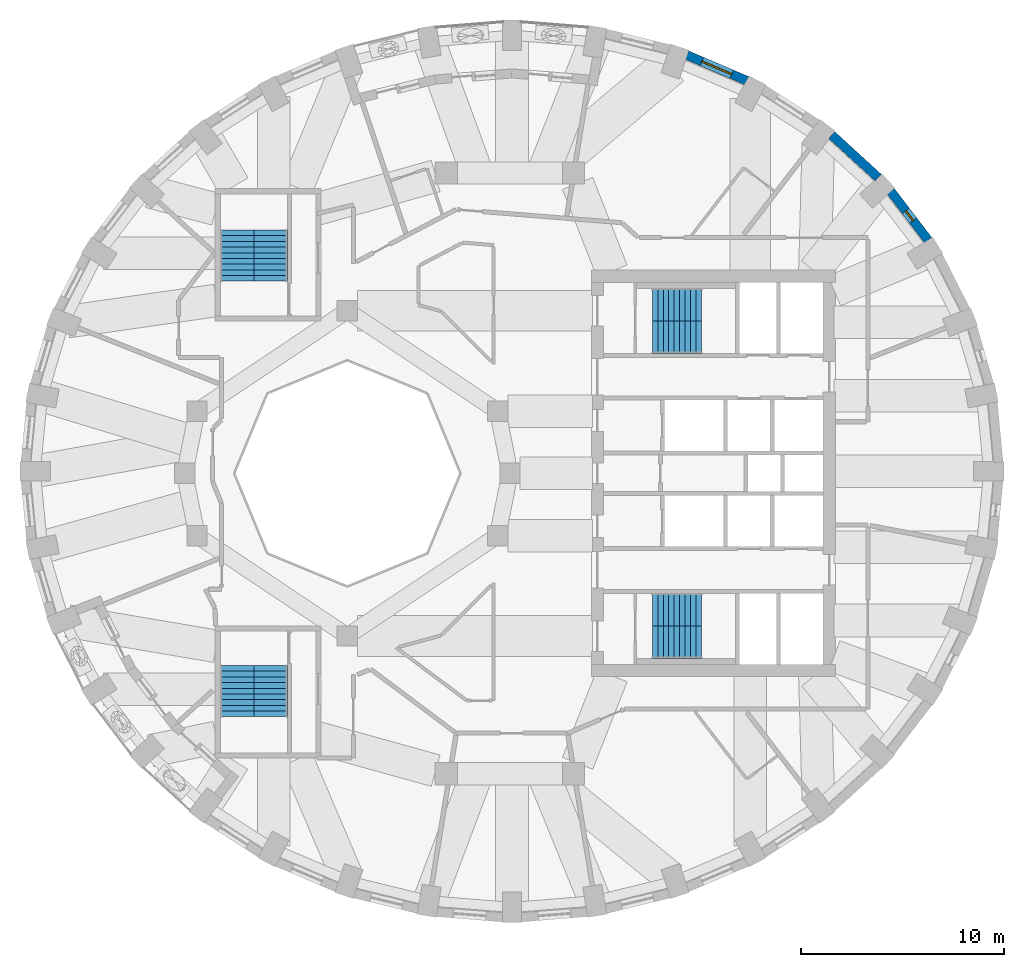
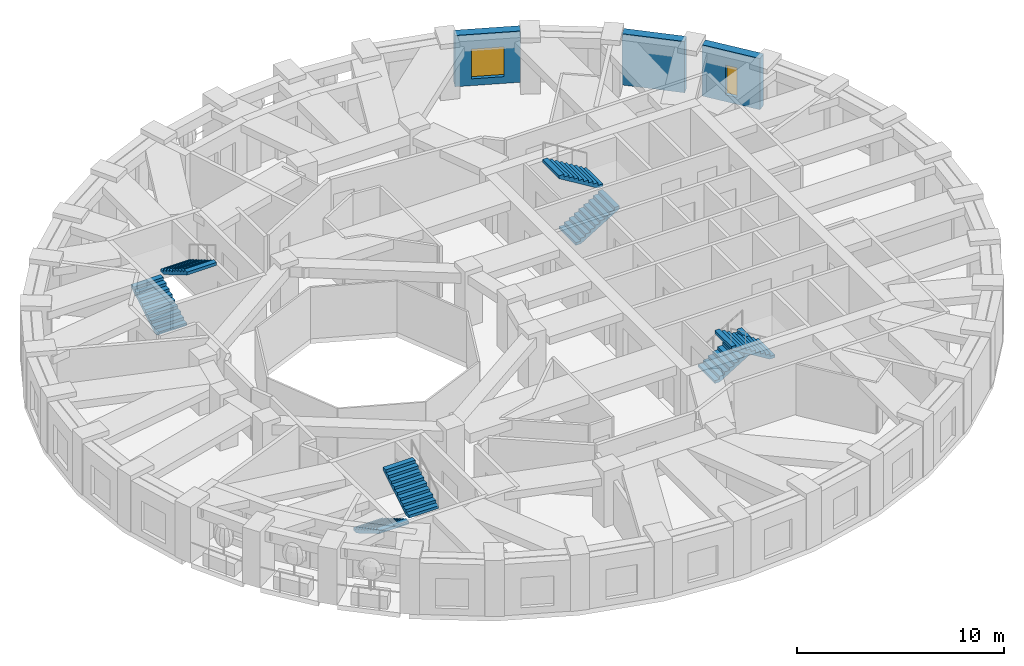
# One storey, part 8 of 11: 8 stair flights, 3 walls, 2 windows, 2 openings, 4 elements without a shape of their own.
"""IFC4 building model written with IfcOpenShell, lengths in metres."""

from ifc_helpers import new_model, si_unit, direction, frame, frame_2d, origin, place, context, subcontext, project, spatial, polyline, rectangle, outline, extrude, material, layer, layer_set, type_object, element, fill, aggregate, save


model = new_model("IFC4")

# Units and contexts
model_context = context("Model", 3, precision=1e-05, world=origin(), true_north=direction((0.0, 1.0)))
body_context = subcontext(model_context, "Body", "Model", "MODEL_VIEW")
ifc_project = project(units=[si_unit("LENGTHUNIT", "METRE"), si_unit("AREAUNIT", "SQUARE_METRE"), si_unit("VOLUMEUNIT", "CUBIC_METRE"), si_unit("PLANEANGLEUNIT", "RADIAN"), si_unit("MASSUNIT", "GRAM", prefix="KILO")], contexts=[model_context])

# Site, building, storey
site_placement = place(None, origin())
site = spatial("IfcSite", under=ifc_project, at=site_placement, CompositionType="ELEMENT")
building_placement = place(site_placement, origin())
building = spatial("IfcBuilding", under=site, at=building_placement, Name="Taillehof Tower", CompositionType="ELEMENT")
storey_placement = place(building_placement, frame((0.0, 0.0, 178.10009765625)))
storey = spatial("IfcBuildingStorey", under=building, at=storey_placement, Name="L50", CompositionType="ELEMENT", Elevation=178.10009765625)

# Wall, opening, window
ifc_material_1 = material(Name="Brick masonry", Category="masonry")
ifc_layer = layer(ifc_material_1, 0.449951171875)
ifc_layer_set = layer_set([ifc_layer], Name="Brick infill wall 450")
wall_type = type_object("IfcWallType", Name="Brick infill wall 450", PredefinedType="SOLIDWALL", material=ifc_layer_set)
wall_1_placement = place(storey_placement, frame((20.573974609375, 11.467041015625, 0.0), z_axis=(0.0, 0.0, 1.0), x_axis=(-0.607817056371, 0.794077090706, 0.0)))
wall_1 = element("IfcWall", 1, at=wall_1_placement, inside=storey, type_object=wall_type, Name="Brick wall L50 bay 4", PredefinedType="SOLIDWALL", context=body_context, shape_type="SweptSolid", body=[
    extrude(rectangle(XDim=3.037109375, YDim=0.449951171875, at=frame_2d((1.5185546875, 0.0))), origin(), (0.0, 0.0, 1.0), 3.02001953125),
])
opening_1_placement = place(wall_1_placement, frame((1.218505859375, 0.0, 0.39990234375)))
opening_1 = element("IfcOpeningElement", 2, at=opening_1_placement, cuts=wall_1, Name="Opening W6", PredefinedType="OPENING", context=body_context, shape_type="SweptSolid", body=[
    extrude(rectangle(XDim=0.60009765625, YDim=1.75, at=frame_2d((0.300048828125, 0.875))), frame((0.0, 0.23486328125, 0.0), z_axis=(0.0, -1.0, 0.0), x_axis=(1.0, 0.0, 0.0)), (0.0, 0.0, 1.0), 0.469970703125),
])
ifc_material_2 = material(Name="Aluminium window frame with clear double glazing", Category="aluminium")
window_type_1 = type_object("IfcWindowType", Name="Slot window 600x1750", PartitioningType="SINGLE_PANEL", PredefinedType="WINDOW", material=ifc_material_2)
window_1_placement = place(opening_1_placement, origin())
window_1 = element("IfcWindow", 3, at=window_1_placement, inside=storey, type_object=window_type_1, Name="W6", OverallHeight=1.75, OverallWidth=0.60009765625, PartitioningType="SINGLE_PANEL", PredefinedType="WINDOW", context=body_context, shape_type="SweptSolid", body=[
    extrude(rectangle(XDim=0.60009765625, YDim=1.75, at=frame_2d((0.300048828125, 0.875))), frame((0.0, 0.034912109375, 0.0), z_axis=(0.0, -1.0, 0.0), x_axis=(1.0, 0.0, 0.0)), (0.0, 0.0, 1.0), 0.06005859375),
])
fill(opening_1, window_1)

# Wall
wall_2_placement = place(storey_placement, frame((18.11328125, 14.5498046875, 0.0), z_axis=(0.0, 0.0, 1.0), x_axis=(-0.737808755941, 0.675009807082, 0.0)))
element("IfcWall", 4, at=wall_2_placement, inside=storey, type_object=wall_type, Name="Brick wall L50 bay 5", PredefinedType="SOLIDWALL", context=body_context, shape_type="SweptSolid", body=[
    extrude(rectangle(XDim=3.094482421875, YDim=0.449951171875, at=frame_2d((1.54736328125, 0.0))), origin(), (0.0, 0.0, 1.0), 3.02001953125),
])

# Wall, opening, window
wall_3_placement = place(storey_placement, frame((11.650390625, 19.318603515625, 0.0), z_axis=(0.0, 0.0, 1.0), x_axis=(-0.91981046949, 0.392362969986, 0.0)))
wall_3 = element("IfcWall", 5, at=wall_3_placement, inside=storey, type_object=wall_type, Name="Brick wall L50 bay 7", PredefinedType="SOLIDWALL", context=body_context, shape_type="SweptSolid", body=[
    extrude(rectangle(XDim=3.20068359375, YDim=0.449951171875, at=frame_2d((1.600341796875, 0.0))), origin(), (0.0, 0.0, 1.0), 3.02001953125),
])
opening_2_placement = place(wall_3_placement, frame((0.80029296875, 0.0, 0.39990234375)))
opening_2 = element("IfcOpeningElement", 6, at=opening_2_placement, cuts=wall_3, Name="Opening W3", PredefinedType="OPENING", context=body_context, shape_type="SweptSolid", body=[
    extrude(rectangle(XDim=1.60009765625, YDim=1.75, at=frame_2d((0.800048828125, 0.875))), frame((0.0, 0.23486328125, 0.0), z_axis=(0.0, -1.0, 0.0), x_axis=(1.0, 0.0, 0.0)), (0.0, 0.0, 1.0), 0.469970703125),
])
ifc_material_3 = material(Name="Aluminium window frame with clear double glazing", Category="aluminium")
window_type_2 = type_object("IfcWindowType", Name="Deep-set window 1600x1750", PartitioningType="SINGLE_PANEL", PredefinedType="WINDOW", material=ifc_material_3)
window_2_placement = place(opening_2_placement, origin())
window_2 = element("IfcWindow", 7, at=window_2_placement, inside=storey, type_object=window_type_2, Name="W3", OverallHeight=1.75, OverallWidth=1.60009765625, PartitioningType="SINGLE_PANEL", PredefinedType="WINDOW", context=body_context, shape_type="SweptSolid", body=[
    extrude(rectangle(XDim=1.60009765625, YDim=1.75, at=frame_2d((0.800048828125, 0.875))), frame((0.0, 0.034912109375, 0.0), z_axis=(0.0, -1.0, 0.0), x_axis=(1.0, 0.0, 0.0)), (0.0, 0.0, 1.0), 0.06005859375),
])
fill(opening_2, window_2)

# Stair, stair flights
ifc_material_4 = material(Name="Concrete C40/50", Category="concrete")
stair_type = type_object("IfcStairType", Name="Exit stair half-turn", PredefinedType="HALF_TURN_STAIR", material=ifc_material_4)
stair_1_placement = place(storey_placement, origin())
stair_1 = element("IfcStair", 8, at=stair_1_placement, inside=storey, type_object=stair_type, Name="Exit stair S1", PredefinedType="HALF_TURN_STAIR")
ifc_material_5 = material(Name="Concrete C40/50", Category="concrete")
stair_flight_type_1 = type_object("IfcStairFlightType", Name="Stair flight 1600 riser 165.0 going 270", PredefinedType="STRAIGHT", material=ifc_material_5)
stair_flight_1_placement = place(storey_placement, frame((7.0, 6.699951171875, 0.0), z_axis=(0.0, 0.0, 1.0), x_axis=(1.0, 0.0, 0.0)))
stair_flight_1 = element("IfcStairFlight", 9, at=stair_flight_1_placement, type_object=stair_flight_type_1, Name="S1 flight 1", NumberOfRisers=10, NumberOfTreads=9, PredefinedType="STRAIGHT", RiserHeight=0.165, TreadLength=0.27, context=body_context, shape_type="SweptSolid", body=[
    extrude(outline(polyline([(0.0, 0.0), (0.0, 0.00537109375), (0.0, 0.0107421875), (0.0, 0.015869140625), (0.0, 0.021240234375), (0.0, 0.026611328125), (0.0, 0.031982421875), (0.0, 0.037353515625), (0.0, 0.04248046875), (0.0, 0.0478515625), (0.0, 0.05322265625), (0.0, 0.05859375), (0.0, 0.06396484375), (0.0, 0.069091796875), (0.0, 0.074462890625), (0.0, 0.079833984375), (0.0, 0.085205078125), (0.0, 0.090576171875), (0.0, 0.095703125), (0.0, 0.10107421875), (0.0, 0.1064453125), (0.0, 0.11181640625), (0.0, 0.1171875), (0.0, 0.122314453125), (0.0, 0.127685546875), (0.0, 0.133056640625), (0.0, 0.138427734375), (0.0, 0.143798828125), (0.0, 0.14892578125), (0.0, 0.154296875), (0.0, 0.15966796875), (0.0, 0.1650390625), (0.27001953125, 0.1650390625), (0.27001953125, 0.330078125), (0.5400390625, 0.330078125), (0.5400390625, 0.4951171875), (0.81005859375, 0.4951171875), (0.81005859375, 0.659912109375), (1.080078125, 0.659912109375), (1.080078125, 0.824951171875), (1.35009765625, 0.824951171875), (1.35009765625, 0.989990234375), (1.6201171875, 0.989990234375), (1.6201171875, 1.155029296875), (1.889892578125, 1.155029296875), (1.889892578125, 1.320068359375), (2.159912109375, 1.320068359375), (2.159912109375, 1.485107421875), (2.429931640625, 1.485107421875), (2.429931640625, 1.479248046875), (2.429931640625, 1.4736328125), (2.429931640625, 1.468017578125), (2.429931640625, 1.46240234375), (2.429931640625, 1.45654296875), (2.429931640625, 1.450927734375), (2.429931640625, 1.4453125), (2.429931640625, 1.439697265625), (2.429931640625, 1.43408203125), (2.429931640625, 1.42822265625), (2.429931640625, 1.422607421875), (2.429931640625, 1.4169921875), (2.429931640625, 1.411376953125), (2.429931640625, 1.40576171875), (2.429931640625, 1.39990234375), (2.429931640625, 1.394287109375), (2.429931640625, 1.388671875), (2.429931640625, 1.383056640625), (2.429931640625, 1.37744140625), (2.429931640625, 1.37158203125), (2.429931640625, 1.365966796875), (2.429931640625, 1.3603515625), (2.429931640625, 1.354736328125), (2.429931640625, 1.348876953125), (2.429931640625, 1.34326171875), (2.429931640625, 1.337646484375), (2.429931640625, 1.33203125), (2.429931640625, 1.326416015625), (2.429931640625, 1.320556640625), (2.429931640625, 1.31494140625), (2.429931640625, 1.309326171875), (0.287353515625, 0.0), (0.0, 0.0)])), frame((0.0, 0.800048828125, 0.0), z_axis=(0.0, -1.0, 0.0), x_axis=(1.0, 0.0, 0.0)), (0.0, 0.0, 1.0), 1.6),
])
stair_flight_2_placement = place(storey_placement, frame((9.429931640625, 8.300048828125, 1.64990234375), z_axis=(0.0, 0.0, 1.0), x_axis=(-1.0, 0.0, 0.0)))
stair_flight_2 = element("IfcStairFlight", 10, at=stair_flight_2_placement, type_object=stair_flight_type_1, Name="S1 flight 2", NumberOfRisers=10, NumberOfTreads=9, PredefinedType="STRAIGHT", RiserHeight=0.165, TreadLength=0.27, context=body_context, shape_type="SweptSolid", body=[
    extrude(outline(polyline([(0.0, 0.0), (0.0, 0.00537109375), (0.0, 0.0107421875), (0.0, 0.015869140625), (0.0, 0.021240234375), (0.0, 0.026611328125), (0.0, 0.031982421875), (0.0, 0.037353515625), (0.0, 0.04248046875), (0.0, 0.0478515625), (0.0, 0.05322265625), (0.0, 0.05859375), (0.0, 0.06396484375), (0.0, 0.069091796875), (0.0, 0.074462890625), (0.0, 0.079833984375), (0.0, 0.085205078125), (0.0, 0.090576171875), (0.0, 0.095703125), (0.0, 0.10107421875), (0.0, 0.1064453125), (0.0, 0.11181640625), (0.0, 0.1171875), (0.0, 0.122314453125), (0.0, 0.127685546875), (0.0, 0.133056640625), (0.0, 0.138427734375), (0.0, 0.143798828125), (0.0, 0.14892578125), (0.0, 0.154296875), (0.0, 0.15966796875), (0.0, 0.1650390625), (0.27001953125, 0.1650390625), (0.27001953125, 0.330078125), (0.5400390625, 0.330078125), (0.5400390625, 0.4951171875), (0.81005859375, 0.4951171875), (0.81005859375, 0.659912109375), (1.080078125, 0.659912109375), (1.080078125, 0.824951171875), (1.35009765625, 0.824951171875), (1.35009765625, 0.989990234375), (1.6201171875, 0.989990234375), (1.6201171875, 1.155029296875), (1.889892578125, 1.155029296875), (1.889892578125, 1.320068359375), (2.159912109375, 1.320068359375), (2.159912109375, 1.485107421875), (2.429931640625, 1.485107421875), (2.429931640625, 1.479248046875), (2.429931640625, 1.4736328125), (2.429931640625, 1.468017578125), (2.429931640625, 1.46240234375), (2.429931640625, 1.45654296875), (2.429931640625, 1.450927734375), (2.429931640625, 1.4453125), (2.429931640625, 1.439697265625), (2.429931640625, 1.43408203125), (2.429931640625, 1.42822265625), (2.429931640625, 1.422607421875), (2.429931640625, 1.4169921875), (2.429931640625, 1.411376953125), (2.429931640625, 1.40576171875), (2.429931640625, 1.39990234375), (2.429931640625, 1.394287109375), (2.429931640625, 1.388671875), (2.429931640625, 1.383056640625), (2.429931640625, 1.37744140625), (2.429931640625, 1.37158203125), (2.429931640625, 1.365966796875), (2.429931640625, 1.3603515625), (2.429931640625, 1.354736328125), (2.429931640625, 1.348876953125), (2.429931640625, 1.34326171875), (2.429931640625, 1.337646484375), (2.429931640625, 1.33203125), (2.429931640625, 1.326416015625), (2.429931640625, 1.320556640625), (2.429931640625, 1.31494140625), (2.429931640625, 1.309326171875), (0.287353515625, 0.0), (0.0, 0.0)])), frame((0.0, 0.800048828125, 0.0), z_axis=(0.0, -1.0, 0.0), x_axis=(1.0, 0.0, 0.0)), (0.0, 0.0, 1.0), 1.6),
])
aggregate(stair_1, [stair_flight_1, stair_flight_2])

stair_2_placement = place(storey_placement, origin())
stair_2 = element("IfcStair", 11, at=stair_2_placement, inside=storey, type_object=stair_type, Name="Exit stair S2", PredefinedType="HALF_TURN_STAIR")
stair_flight_3_placement = place(storey_placement, frame((7.0, -6.699951171875, 0.0), z_axis=(0.0, 0.0, 1.0), x_axis=(1.0, 0.0, 0.0)))
stair_flight_3 = element("IfcStairFlight", 12, at=stair_flight_3_placement, type_object=stair_flight_type_1, Name="S2 flight 1", NumberOfRisers=10, NumberOfTreads=9, PredefinedType="STRAIGHT", RiserHeight=0.165, TreadLength=0.27, context=body_context, shape_type="SweptSolid", body=[
    extrude(outline(polyline([(0.0, 0.0), (0.0, 0.00537109375), (0.0, 0.0107421875), (0.0, 0.015869140625), (0.0, 0.021240234375), (0.0, 0.026611328125), (0.0, 0.031982421875), (0.0, 0.037353515625), (0.0, 0.04248046875), (0.0, 0.0478515625), (0.0, 0.05322265625), (0.0, 0.05859375), (0.0, 0.06396484375), (0.0, 0.069091796875), (0.0, 0.074462890625), (0.0, 0.079833984375), (0.0, 0.085205078125), (0.0, 0.090576171875), (0.0, 0.095703125), (0.0, 0.10107421875), (0.0, 0.1064453125), (0.0, 0.11181640625), (0.0, 0.1171875), (0.0, 0.122314453125), (0.0, 0.127685546875), (0.0, 0.133056640625), (0.0, 0.138427734375), (0.0, 0.143798828125), (0.0, 0.14892578125), (0.0, 0.154296875), (0.0, 0.15966796875), (0.0, 0.1650390625), (0.27001953125, 0.1650390625), (0.27001953125, 0.330078125), (0.5400390625, 0.330078125), (0.5400390625, 0.4951171875), (0.81005859375, 0.4951171875), (0.81005859375, 0.659912109375), (1.080078125, 0.659912109375), (1.080078125, 0.824951171875), (1.35009765625, 0.824951171875), (1.35009765625, 0.989990234375), (1.6201171875, 0.989990234375), (1.6201171875, 1.155029296875), (1.889892578125, 1.155029296875), (1.889892578125, 1.320068359375), (2.159912109375, 1.320068359375), (2.159912109375, 1.485107421875), (2.429931640625, 1.485107421875), (2.429931640625, 1.479248046875), (2.429931640625, 1.4736328125), (2.429931640625, 1.468017578125), (2.429931640625, 1.46240234375), (2.429931640625, 1.45654296875), (2.429931640625, 1.450927734375), (2.429931640625, 1.4453125), (2.429931640625, 1.439697265625), (2.429931640625, 1.43408203125), (2.429931640625, 1.42822265625), (2.429931640625, 1.422607421875), (2.429931640625, 1.4169921875), (2.429931640625, 1.411376953125), (2.429931640625, 1.40576171875), (2.429931640625, 1.39990234375), (2.429931640625, 1.394287109375), (2.429931640625, 1.388671875), (2.429931640625, 1.383056640625), (2.429931640625, 1.37744140625), (2.429931640625, 1.37158203125), (2.429931640625, 1.365966796875), (2.429931640625, 1.3603515625), (2.429931640625, 1.354736328125), (2.429931640625, 1.348876953125), (2.429931640625, 1.34326171875), (2.429931640625, 1.337646484375), (2.429931640625, 1.33203125), (2.429931640625, 1.326416015625), (2.429931640625, 1.320556640625), (2.429931640625, 1.31494140625), (2.429931640625, 1.309326171875), (0.287353515625, 0.0), (0.0, 0.0)])), frame((0.0, 0.800048828125, 0.0), z_axis=(0.0, -1.0, 0.0), x_axis=(1.0, 0.0, 0.0)), (0.0, 0.0, 1.0), 1.6),
])
stair_flight_4_placement = place(storey_placement, frame((9.429931640625, -8.300048828125, 1.64990234375), z_axis=(0.0, 0.0, 1.0), x_axis=(-1.0, 0.0, 0.0)))
stair_flight_4 = element("IfcStairFlight", 13, at=stair_flight_4_placement, type_object=stair_flight_type_1, Name="S2 flight 2", NumberOfRisers=10, NumberOfTreads=9, PredefinedType="STRAIGHT", RiserHeight=0.165, TreadLength=0.27, context=body_context, shape_type="SweptSolid", body=[
    extrude(outline(polyline([(0.0, 0.0), (0.0, 0.00537109375), (0.0, 0.0107421875), (0.0, 0.015869140625), (0.0, 0.021240234375), (0.0, 0.026611328125), (0.0, 0.031982421875), (0.0, 0.037353515625), (0.0, 0.04248046875), (0.0, 0.0478515625), (0.0, 0.05322265625), (0.0, 0.05859375), (0.0, 0.06396484375), (0.0, 0.069091796875), (0.0, 0.074462890625), (0.0, 0.079833984375), (0.0, 0.085205078125), (0.0, 0.090576171875), (0.0, 0.095703125), (0.0, 0.10107421875), (0.0, 0.1064453125), (0.0, 0.11181640625), (0.0, 0.1171875), (0.0, 0.122314453125), (0.0, 0.127685546875), (0.0, 0.133056640625), (0.0, 0.138427734375), (0.0, 0.143798828125), (0.0, 0.14892578125), (0.0, 0.154296875), (0.0, 0.15966796875), (0.0, 0.1650390625), (0.27001953125, 0.1650390625), (0.27001953125, 0.330078125), (0.5400390625, 0.330078125), (0.5400390625, 0.4951171875), (0.81005859375, 0.4951171875), (0.81005859375, 0.659912109375), (1.080078125, 0.659912109375), (1.080078125, 0.824951171875), (1.35009765625, 0.824951171875), (1.35009765625, 0.989990234375), (1.6201171875, 0.989990234375), (1.6201171875, 1.155029296875), (1.889892578125, 1.155029296875), (1.889892578125, 1.320068359375), (2.159912109375, 1.320068359375), (2.159912109375, 1.485107421875), (2.429931640625, 1.485107421875), (2.429931640625, 1.479248046875), (2.429931640625, 1.4736328125), (2.429931640625, 1.468017578125), (2.429931640625, 1.46240234375), (2.429931640625, 1.45654296875), (2.429931640625, 1.450927734375), (2.429931640625, 1.4453125), (2.429931640625, 1.439697265625), (2.429931640625, 1.43408203125), (2.429931640625, 1.42822265625), (2.429931640625, 1.422607421875), (2.429931640625, 1.4169921875), (2.429931640625, 1.411376953125), (2.429931640625, 1.40576171875), (2.429931640625, 1.39990234375), (2.429931640625, 1.394287109375), (2.429931640625, 1.388671875), (2.429931640625, 1.383056640625), (2.429931640625, 1.37744140625), (2.429931640625, 1.37158203125), (2.429931640625, 1.365966796875), (2.429931640625, 1.3603515625), (2.429931640625, 1.354736328125), (2.429931640625, 1.348876953125), (2.429931640625, 1.34326171875), (2.429931640625, 1.337646484375), (2.429931640625, 1.33203125), (2.429931640625, 1.326416015625), (2.429931640625, 1.320556640625), (2.429931640625, 1.31494140625), (2.429931640625, 1.309326171875), (0.287353515625, 0.0), (0.0, 0.0)])), frame((0.0, 0.800048828125, 0.0), z_axis=(0.0, -1.0, 0.0), x_axis=(1.0, 0.0, 0.0)), (0.0, 0.0, 1.0), 1.6),
])
aggregate(stair_2, [stair_flight_3, stair_flight_4])

stair_3_placement = place(storey_placement, origin())
stair_3 = element("IfcStair", 14, at=stair_3_placement, inside=storey, type_object=stair_type, Name="Exit stair S3", PredefinedType="HALF_TURN_STAIR")
ifc_material_6 = material(Name="Concrete C40/50", Category="concrete")
stair_flight_type_2 = type_object("IfcStairFlightType", Name="Stair flight 1650 riser 165.0 going 280", PredefinedType="STRAIGHT", material=ifc_material_6)
stair_flight_5_placement = place(storey_placement, frame((-13.425048828125, 9.449951171875, 0.0), z_axis=(0.0, 0.0, 1.0), x_axis=(0.0, 1.0, 0.0)))
stair_flight_5 = element("IfcStairFlight", 15, at=stair_flight_5_placement, type_object=stair_flight_type_2, Name="S3 flight 1", NumberOfRisers=10, NumberOfTreads=9, PredefinedType="STRAIGHT", RiserHeight=0.165, TreadLength=0.28, context=body_context, shape_type="SweptSolid", body=[
    extrude(outline(polyline([(0.0, 0.0), (0.0, 0.00537109375), (0.0, 0.0107421875), (0.0, 0.015869140625), (0.0, 0.021240234375), (0.0, 0.026611328125), (0.0, 0.031982421875), (0.0, 0.037353515625), (0.0, 0.04248046875), (0.0, 0.0478515625), (0.0, 0.05322265625), (0.0, 0.05859375), (0.0, 0.06396484375), (0.0, 0.069091796875), (0.0, 0.074462890625), (0.0, 0.079833984375), (0.0, 0.085205078125), (0.0, 0.090576171875), (0.0, 0.095703125), (0.0, 0.10107421875), (0.0, 0.1064453125), (0.0, 0.11181640625), (0.0, 0.1171875), (0.0, 0.122314453125), (0.0, 0.127685546875), (0.0, 0.133056640625), (0.0, 0.138427734375), (0.0, 0.143798828125), (0.0, 0.14892578125), (0.0, 0.154296875), (0.0, 0.15966796875), (0.0, 0.1650390625), (0.280029296875, 0.1650390625), (0.280029296875, 0.330078125), (0.56005859375, 0.330078125), (0.56005859375, 0.4951171875), (0.840087890625, 0.4951171875), (0.840087890625, 0.659912109375), (1.1201171875, 0.659912109375), (1.1201171875, 0.824951171875), (1.39990234375, 0.824951171875), (1.39990234375, 0.989990234375), (1.679931640625, 0.989990234375), (1.679931640625, 1.155029296875), (1.9599609375, 1.155029296875), (1.9599609375, 1.320068359375), (2.239990234375, 1.320068359375), (2.239990234375, 1.485107421875), (2.52001953125, 1.485107421875), (2.52001953125, 1.4794921875), (2.52001953125, 1.473876953125), (2.52001953125, 1.46826171875), (2.52001953125, 1.462646484375), (2.52001953125, 1.45703125), (2.52001953125, 1.451416015625), (2.52001953125, 1.44580078125), (2.52001953125, 1.440185546875), (2.52001953125, 1.4345703125), (2.52001953125, 1.428955078125), (2.52001953125, 1.42333984375), (2.52001953125, 1.417724609375), (2.52001953125, 1.412109375), (2.52001953125, 1.406494140625), (2.52001953125, 1.40087890625), (2.52001953125, 1.395263671875), (2.52001953125, 1.3896484375), (2.52001953125, 1.384033203125), (2.52001953125, 1.37841796875), (2.52001953125, 1.372802734375), (2.52001953125, 1.3671875), (2.52001953125, 1.361572265625), (2.52001953125, 1.35595703125), (2.52001953125, 1.350341796875), (2.52001953125, 1.3447265625), (2.52001953125, 1.339111328125), (2.52001953125, 1.33349609375), (2.52001953125, 1.327880859375), (2.52001953125, 1.322265625), (2.52001953125, 1.316650390625), (2.52001953125, 1.31103515625), (0.295166015625, 0.0), (0.0, 0.0)])), frame((0.0, 0.824951171875, 0.0), z_axis=(0.0, -1.0, 0.0), x_axis=(1.0, 0.0, 0.0)), (0.0, 0.0, 1.0), 1.65),
])
stair_flight_6_placement = place(storey_placement, frame((-11.77490234375, 11.969970703125, 1.64990234375), z_axis=(0.0, 0.0, 1.0), x_axis=(0.0, -1.0, 0.0)))
stair_flight_6 = element("IfcStairFlight", 16, at=stair_flight_6_placement, type_object=stair_flight_type_2, Name="S3 flight 2", NumberOfRisers=10, NumberOfTreads=9, PredefinedType="STRAIGHT", RiserHeight=0.165, TreadLength=0.28, context=body_context, shape_type="SweptSolid", body=[
    extrude(outline(polyline([(0.0, 0.0), (0.0, 0.00537109375), (0.0, 0.0107421875), (0.0, 0.015869140625), (0.0, 0.021240234375), (0.0, 0.026611328125), (0.0, 0.031982421875), (0.0, 0.037353515625), (0.0, 0.04248046875), (0.0, 0.0478515625), (0.0, 0.05322265625), (0.0, 0.05859375), (0.0, 0.06396484375), (0.0, 0.069091796875), (0.0, 0.074462890625), (0.0, 0.079833984375), (0.0, 0.085205078125), (0.0, 0.090576171875), (0.0, 0.095703125), (0.0, 0.10107421875), (0.0, 0.1064453125), (0.0, 0.11181640625), (0.0, 0.1171875), (0.0, 0.122314453125), (0.0, 0.127685546875), (0.0, 0.133056640625), (0.0, 0.138427734375), (0.0, 0.143798828125), (0.0, 0.14892578125), (0.0, 0.154296875), (0.0, 0.15966796875), (0.0, 0.1650390625), (0.280029296875, 0.1650390625), (0.280029296875, 0.330078125), (0.56005859375, 0.330078125), (0.56005859375, 0.4951171875), (0.840087890625, 0.4951171875), (0.840087890625, 0.659912109375), (1.1201171875, 0.659912109375), (1.1201171875, 0.824951171875), (1.39990234375, 0.824951171875), (1.39990234375, 0.989990234375), (1.679931640625, 0.989990234375), (1.679931640625, 1.155029296875), (1.9599609375, 1.155029296875), (1.9599609375, 1.320068359375), (2.239990234375, 1.320068359375), (2.239990234375, 1.485107421875), (2.52001953125, 1.485107421875), (2.52001953125, 1.4794921875), (2.52001953125, 1.473876953125), (2.52001953125, 1.46826171875), (2.52001953125, 1.462646484375), (2.52001953125, 1.45703125), (2.52001953125, 1.451416015625), (2.52001953125, 1.44580078125), (2.52001953125, 1.440185546875), (2.52001953125, 1.4345703125), (2.52001953125, 1.428955078125), (2.52001953125, 1.42333984375), (2.52001953125, 1.417724609375), (2.52001953125, 1.412109375), (2.52001953125, 1.406494140625), (2.52001953125, 1.40087890625), (2.52001953125, 1.395263671875), (2.52001953125, 1.3896484375), (2.52001953125, 1.384033203125), (2.52001953125, 1.37841796875), (2.52001953125, 1.372802734375), (2.52001953125, 1.3671875), (2.52001953125, 1.361572265625), (2.52001953125, 1.35595703125), (2.52001953125, 1.350341796875), (2.52001953125, 1.3447265625), (2.52001953125, 1.339111328125), (2.52001953125, 1.33349609375), (2.52001953125, 1.327880859375), (2.52001953125, 1.322265625), (2.52001953125, 1.316650390625), (2.52001953125, 1.31103515625), (0.295166015625, 0.0), (0.0, 0.0)])), frame((0.0, 0.824951171875, 0.0), z_axis=(0.0, -1.0, 0.0), x_axis=(1.0, 0.0, 0.0)), (0.0, 0.0, 1.0), 1.65),
])
aggregate(stair_3, [stair_flight_5, stair_flight_6])

stair_4_placement = place(storey_placement, origin())
stair_4 = element("IfcStair", 17, at=stair_4_placement, inside=storey, type_object=stair_type, Name="Exit stair S4", PredefinedType="HALF_TURN_STAIR")
stair_flight_7_placement = place(storey_placement, frame((-13.425048828125, -9.449951171875, 0.0), z_axis=(0.0, 0.0, 1.0), x_axis=(0.0, -1.0, 0.0)))
stair_flight_7 = element("IfcStairFlight", 18, at=stair_flight_7_placement, type_object=stair_flight_type_2, Name="S4 flight 1", NumberOfRisers=10, NumberOfTreads=9, PredefinedType="STRAIGHT", RiserHeight=0.165, TreadLength=0.28, context=body_context, shape_type="SweptSolid", body=[
    extrude(outline(polyline([(0.0, 0.0), (0.0, 0.00537109375), (0.0, 0.0107421875), (0.0, 0.015869140625), (0.0, 0.021240234375), (0.0, 0.026611328125), (0.0, 0.031982421875), (0.0, 0.037353515625), (0.0, 0.04248046875), (0.0, 0.0478515625), (0.0, 0.05322265625), (0.0, 0.05859375), (0.0, 0.06396484375), (0.0, 0.069091796875), (0.0, 0.074462890625), (0.0, 0.079833984375), (0.0, 0.085205078125), (0.0, 0.090576171875), (0.0, 0.095703125), (0.0, 0.10107421875), (0.0, 0.1064453125), (0.0, 0.11181640625), (0.0, 0.1171875), (0.0, 0.122314453125), (0.0, 0.127685546875), (0.0, 0.133056640625), (0.0, 0.138427734375), (0.0, 0.143798828125), (0.0, 0.14892578125), (0.0, 0.154296875), (0.0, 0.15966796875), (0.0, 0.1650390625), (0.280029296875, 0.1650390625), (0.280029296875, 0.330078125), (0.56005859375, 0.330078125), (0.56005859375, 0.4951171875), (0.840087890625, 0.4951171875), (0.840087890625, 0.659912109375), (1.1201171875, 0.659912109375), (1.1201171875, 0.824951171875), (1.39990234375, 0.824951171875), (1.39990234375, 0.989990234375), (1.679931640625, 0.989990234375), (1.679931640625, 1.155029296875), (1.9599609375, 1.155029296875), (1.9599609375, 1.320068359375), (2.239990234375, 1.320068359375), (2.239990234375, 1.485107421875), (2.52001953125, 1.485107421875), (2.52001953125, 1.4794921875), (2.52001953125, 1.473876953125), (2.52001953125, 1.46826171875), (2.52001953125, 1.462646484375), (2.52001953125, 1.45703125), (2.52001953125, 1.451416015625), (2.52001953125, 1.44580078125), (2.52001953125, 1.440185546875), (2.52001953125, 1.4345703125), (2.52001953125, 1.428955078125), (2.52001953125, 1.42333984375), (2.52001953125, 1.417724609375), (2.52001953125, 1.412109375), (2.52001953125, 1.406494140625), (2.52001953125, 1.40087890625), (2.52001953125, 1.395263671875), (2.52001953125, 1.3896484375), (2.52001953125, 1.384033203125), (2.52001953125, 1.37841796875), (2.52001953125, 1.372802734375), (2.52001953125, 1.3671875), (2.52001953125, 1.361572265625), (2.52001953125, 1.35595703125), (2.52001953125, 1.350341796875), (2.52001953125, 1.3447265625), (2.52001953125, 1.339111328125), (2.52001953125, 1.33349609375), (2.52001953125, 1.327880859375), (2.52001953125, 1.322265625), (2.52001953125, 1.316650390625), (2.52001953125, 1.31103515625), (0.295166015625, 0.0), (0.0, 0.0)])), frame((0.0, 0.824951171875, 0.0), z_axis=(0.0, -1.0, 0.0), x_axis=(1.0, 0.0, 0.0)), (0.0, 0.0, 1.0), 1.65),
])
stair_flight_8_placement = place(storey_placement, frame((-11.77490234375, -11.969970703125, 1.64990234375), z_axis=(0.0, 0.0, 1.0), x_axis=(0.0, 1.0, 0.0)))
stair_flight_8 = element("IfcStairFlight", 19, at=stair_flight_8_placement, type_object=stair_flight_type_2, Name="S4 flight 2", NumberOfRisers=10, NumberOfTreads=9, PredefinedType="STRAIGHT", RiserHeight=0.165, TreadLength=0.28, context=body_context, shape_type="SweptSolid", body=[
    extrude(outline(polyline([(0.0, 0.0), (0.0, 0.00537109375), (0.0, 0.0107421875), (0.0, 0.015869140625), (0.0, 0.021240234375), (0.0, 0.026611328125), (0.0, 0.031982421875), (0.0, 0.037353515625), (0.0, 0.04248046875), (0.0, 0.0478515625), (0.0, 0.05322265625), (0.0, 0.05859375), (0.0, 0.06396484375), (0.0, 0.069091796875), (0.0, 0.074462890625), (0.0, 0.079833984375), (0.0, 0.085205078125), (0.0, 0.090576171875), (0.0, 0.095703125), (0.0, 0.10107421875), (0.0, 0.1064453125), (0.0, 0.11181640625), (0.0, 0.1171875), (0.0, 0.122314453125), (0.0, 0.127685546875), (0.0, 0.133056640625), (0.0, 0.138427734375), (0.0, 0.143798828125), (0.0, 0.14892578125), (0.0, 0.154296875), (0.0, 0.15966796875), (0.0, 0.1650390625), (0.280029296875, 0.1650390625), (0.280029296875, 0.330078125), (0.56005859375, 0.330078125), (0.56005859375, 0.4951171875), (0.840087890625, 0.4951171875), (0.840087890625, 0.659912109375), (1.1201171875, 0.659912109375), (1.1201171875, 0.824951171875), (1.39990234375, 0.824951171875), (1.39990234375, 0.989990234375), (1.679931640625, 0.989990234375), (1.679931640625, 1.155029296875), (1.9599609375, 1.155029296875), (1.9599609375, 1.320068359375), (2.239990234375, 1.320068359375), (2.239990234375, 1.485107421875), (2.52001953125, 1.485107421875), (2.52001953125, 1.4794921875), (2.52001953125, 1.473876953125), (2.52001953125, 1.46826171875), (2.52001953125, 1.462646484375), (2.52001953125, 1.45703125), (2.52001953125, 1.451416015625), (2.52001953125, 1.44580078125), (2.52001953125, 1.440185546875), (2.52001953125, 1.4345703125), (2.52001953125, 1.428955078125), (2.52001953125, 1.42333984375), (2.52001953125, 1.417724609375), (2.52001953125, 1.412109375), (2.52001953125, 1.406494140625), (2.52001953125, 1.40087890625), (2.52001953125, 1.395263671875), (2.52001953125, 1.3896484375), (2.52001953125, 1.384033203125), (2.52001953125, 1.37841796875), (2.52001953125, 1.372802734375), (2.52001953125, 1.3671875), (2.52001953125, 1.361572265625), (2.52001953125, 1.35595703125), (2.52001953125, 1.350341796875), (2.52001953125, 1.3447265625), (2.52001953125, 1.339111328125), (2.52001953125, 1.33349609375), (2.52001953125, 1.327880859375), (2.52001953125, 1.322265625), (2.52001953125, 1.316650390625), (2.52001953125, 1.31103515625), (0.295166015625, 0.0), (0.0, 0.0)])), frame((0.0, 0.824951171875, 0.0), z_axis=(0.0, -1.0, 0.0), x_axis=(1.0, 0.0, 0.0)), (0.0, 0.0, 1.0), 1.65),
])
aggregate(stair_4, [stair_flight_7, stair_flight_8])

save(model, "model.ifc")
